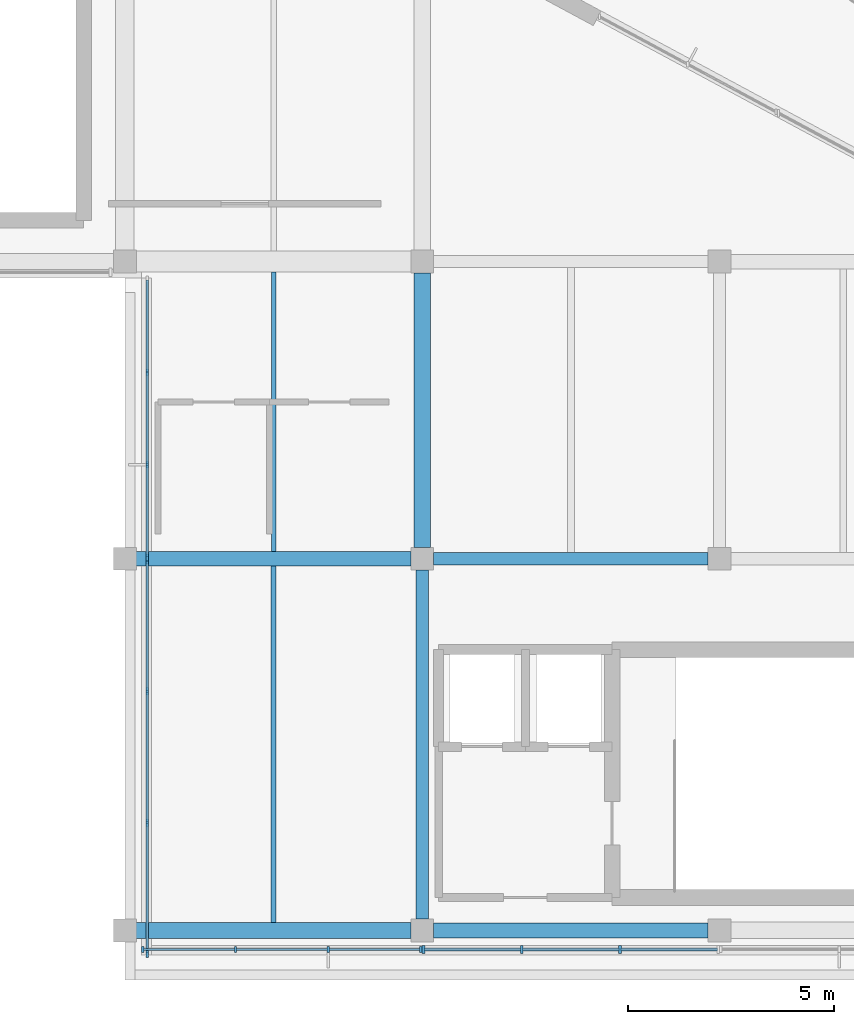
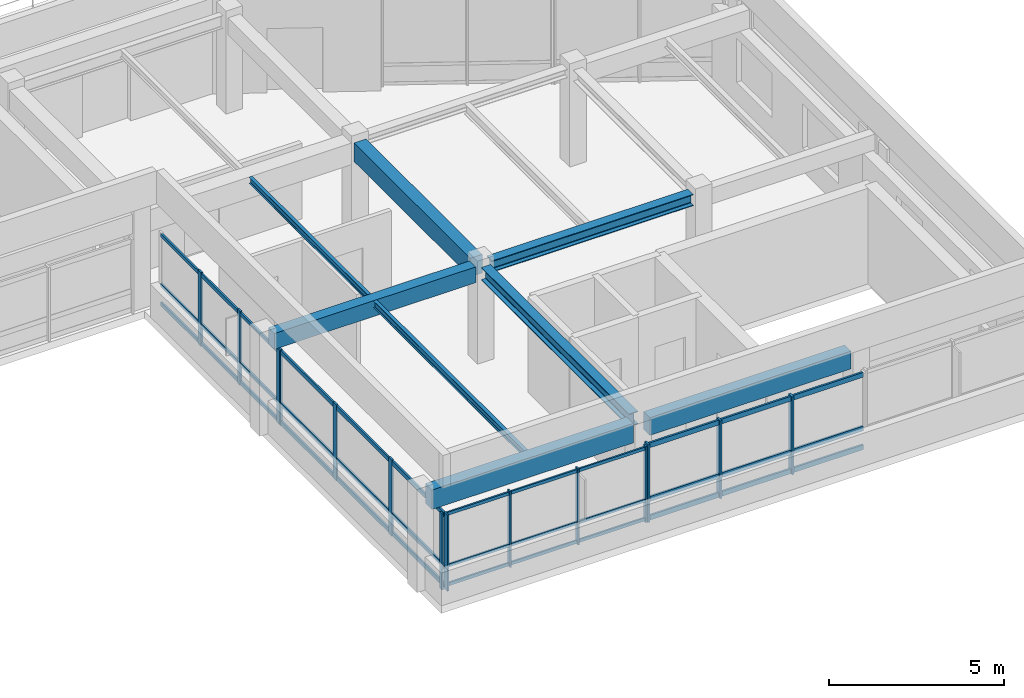
# One storey, part 3 of 10: 50 members, 8 beams, 4 elements without a shape of their own.
"""IFC4 building model written with IfcOpenShell, lengths in metres."""

from ifc_helpers import new_model, si_unit, direction, frame, origin, origin_2d, place, context, subcontext, project, spatial, rectangle, i_section, extrude, material, material_profile, profile_set, type_object, element, aggregate, save


model = new_model("IFC4")

# Units and contexts
model_context = context("Model", 3, precision=1e-05, world=origin(), true_north=direction((0.0, 1.0)))
body_context = subcontext(model_context, "Body", "Model", "MODEL_VIEW")
ifc_project = project(units=[si_unit("LENGTHUNIT", "METRE"), si_unit("AREAUNIT", "SQUARE_METRE"), si_unit("VOLUMEUNIT", "CUBIC_METRE"), si_unit("PLANEANGLEUNIT", "RADIAN"), si_unit("MASSUNIT", "GRAM", prefix="KILO")], contexts=[model_context])

# Site, building, storey
site_placement = place(None, origin())
site = spatial("IfcSite", under=ifc_project, at=site_placement, CompositionType="ELEMENT")
building_placement = place(site_placement, origin())
building = spatial("IfcBuilding", under=site, at=building_placement, Name="Clarverna Civic Hall", CompositionType="ELEMENT")
storey_placement = place(building_placement, frame((0.0, 0.0, 27.60009765625)))
storey = spatial("IfcBuildingStorey", under=building, at=storey_placement, Name="L07", CompositionType="ELEMENT", Elevation=27.60009765625)

# Beams
ifc_material_1 = material(Name="Concrete C35/45", Category="concrete")
ifc_material_profile_1 = material_profile(ifc_material_1, rectangle(XDim=0.39990234375, YDim=0.64990234375, at=origin_2d()), Name="RC 400x650")
ifc_profile_set_1 = profile_set([ifc_material_profile_1], Name="Concrete C35/45")
beam_type_1 = type_object("IfcBeamType", Name="B-RC6", PredefinedType="BEAM", material=ifc_profile_set_1)
beam_1_placement = place(storey_placement, frame((154.800048828125, 88.074951171875, 3.014892578125), z_axis=(0.0, 1.0, 0.0), x_axis=(-1.0, 0.0, 0.0)))
element("IfcBeam", 1, at=beam_1_placement, inside=storey, type_object=beam_type_1, Name="B-RC6-053", PredefinedType="BEAM", context=body_context, shape_type="SweptSolid", body=[
    extrude(rectangle(XDim=0.39990234375, YDim=0.64990234375, at=origin_2d()), origin(), (0.0, 0.0, 1.0), 6.650146484375),
])
ifc_material_profile_2 = material_profile(ifc_material_1, rectangle(XDim=0.35009765625, YDim=0.550048828125, at=origin_2d()), Name="RC 350x550")
ifc_profile_set_2 = profile_set([ifc_material_profile_2], Name="Concrete C35/45")
beam_type_2 = type_object("IfcBeamType", Name="B-RC9", PredefinedType="BEAM", material=ifc_profile_set_2)
beam_2_placement = place(storey_placement, frame((147.875, 87.800048828125, 3.06494140625), z_axis=(1.0, 0.0, 0.0), x_axis=(0.0, 1.0, 0.0)))
element("IfcBeam", 2, at=beam_2_placement, inside=storey, type_object=beam_type_2, Name="B-RC9-048", PredefinedType="BEAM", context=body_context, shape_type="SweptSolid", body=[
    extrude(rectangle(XDim=0.35009765625, YDim=0.550048828125, at=origin_2d()), origin(), (0.0, 0.0, 1.0), 6.64990234375),
])
ifc_material_profile_3 = material_profile(ifc_material_1, rectangle(XDim=0.3798828125, YDim=0.679931640625, at=origin_2d()), Name="RC 380x680")
ifc_profile_set_3 = profile_set([ifc_material_profile_3], Name="Concrete C35/45")
beam_type_3 = type_object("IfcBeamType", Name="B-SP2", PredefinedType="SPANDREL", material=ifc_profile_set_3)
beam_3_placement = place(storey_placement, frame((147.875, 78.800048828125, 3.0), z_axis=(1.0, 0.0, 0.0), x_axis=(0.0, 1.0, 0.0)))
element("IfcBeam", 3, at=beam_3_placement, inside=storey, type_object=beam_type_3, Name="B-SP2-161", PredefinedType="SPANDREL", context=body_context, shape_type="SweptSolid", body=[
    extrude(rectangle(XDim=0.3798828125, YDim=0.679931640625, at=origin_2d()), origin(), (0.0, 0.0, 1.0), 6.64990234375),
])
ifc_material_profile_4 = material_profile(ifc_material_1, rectangle(XDim=0.360107421875, YDim=0.6201171875, at=origin_2d()), Name="RC 360x620")
ifc_profile_set_4 = profile_set([ifc_material_profile_4], Name="Concrete C35/45")
beam_type_4 = type_object("IfcBeamType", Name="B-SP3", PredefinedType="SPANDREL", material=ifc_profile_set_4)
beam_4_placement = place(storey_placement, frame((155.074951171875, 78.800048828125, 3.02978515625), z_axis=(1.0, 0.0, 0.0), x_axis=(0.0, 1.0, 0.0)))
element("IfcBeam", 4, at=beam_4_placement, inside=storey, type_object=beam_type_4, Name="B-SP3-157", PredefinedType="SPANDREL", context=body_context, shape_type="SweptSolid", body=[
    extrude(rectangle(XDim=0.360107421875, YDim=0.6201171875, at=origin_2d()), origin(), (0.0, 0.0, 1.0), 6.650146484375),
])
ifc_material_2 = material(Name="Steel S355", Category="steel")
ifc_material_profile_5 = material_profile(ifc_material_2, i_section(OverallWidth=0.300048828125, OverallDepth=0.449951171875, WebThickness=0.013916015625, FlangeThickness=0.02587890625, FilletRadius=0.027099609375, at=origin_2d()), Name="HEB 450")
ifc_profile_set_5 = profile_set([ifc_material_profile_5], Name="Steel S355")
beam_type_5 = type_object("IfcBeamType", Name="B-ST3", PredefinedType="BEAM", material=ifc_profile_set_5)
beam_5_placement = place(storey_placement, frame((154.800048828125, 79.074951171875, 3.114990234375), z_axis=(0.0, 1.0, 0.0), x_axis=(-1.0, 0.0, 0.0)))
element("IfcBeam", 5, at=beam_5_placement, inside=storey, type_object=beam_type_5, Name="B-ST3-023", PredefinedType="BEAM", context=body_context, shape_type="SweptSolid", body=[
    extrude(i_section(OverallWidth=0.300048828125, OverallDepth=0.449951171875, WebThickness=0.013916015625, FlangeThickness=0.02587890625, FilletRadius=0.027099609375, at=origin_2d()), origin(), (0.0, 0.0, 1.0), 8.449951171875),
])
ifc_material_profile_6 = material_profile(ifc_material_2, i_section(OverallWidth=0.300048828125, OverallDepth=0.39990234375, WebThickness=0.013427734375, FlangeThickness=0.02392578125, FilletRadius=0.027099609375, at=origin_2d()), Name="HEB 400")
ifc_profile_set_6 = profile_set([ifc_material_profile_6], Name="Steel S355")
beam_type_6 = type_object("IfcBeamType", Name="B-ST4", PredefinedType="BEAM", material=ifc_profile_set_6)
beam_6_placement = place(storey_placement, frame((155.074951171875, 87.800048828125, 3.139892578125), z_axis=(1.0, 0.0, 0.0), x_axis=(0.0, 1.0, 0.0)))
element("IfcBeam", 6, at=beam_6_placement, inside=storey, type_object=beam_type_6, Name="B-ST4-022", PredefinedType="BEAM", context=body_context, shape_type="SweptSolid", body=[
    extrude(i_section(OverallWidth=0.300048828125, OverallDepth=0.39990234375, WebThickness=0.013427734375, FlangeThickness=0.02392578125, FilletRadius=0.027099609375, at=origin_2d()), origin(), (0.0, 0.0, 1.0), 6.650146484375),
])

# Curtain wall, members
ifc_material_3 = material(Name="Anodised Bronze Architectural Aluminium", Category="aluminium")
curtain_wall_type = type_object("IfcCurtainWallType", Name="CW-01", PredefinedType="USERDEFINED", material=ifc_material_3)
curtain_wall_1_placement = place(storey_placement, origin())
curtain_wall_1 = element("IfcCurtainWall", 7, at=curtain_wall_1_placement, inside=storey, type_object=curtain_wall_type, Name="CW-01-131", ObjectType="UNITISED CURTAIN WALL", PredefinedType="USERDEFINED")
ifc_material_profile_7 = material_profile(ifc_material_3, rectangle(XDim=0.06005859375, YDim=0.179931640625, at=origin_2d()), Name="BRONZE 60x180")
ifc_profile_set_7 = profile_set([ifc_material_profile_7], Name="Anodised Bronze Architectural Aluminium")
member_type_1 = type_object("IfcMemberType", Name="CWM-01", PredefinedType="MULLION", material=ifc_profile_set_7)
member_1_placement = place(storey_placement, frame((148.139892578125, 78.23291015625, 0.0), z_axis=(0.0, 0.0, 1.0), x_axis=(1.0, 0.0, 0.0)))
member_1 = element("IfcMember", 8, at=member_1_placement, type_object=member_type_1, Name="CWM-01-227", PredefinedType="MULLION", context=body_context, shape_type="SweptSolid", body=[
    extrude(rectangle(XDim=0.06005859375, YDim=0.179931640625, at=origin_2d()), origin(), (0.0, 0.0, 1.0), 2.659912109375),
])
member_2_placement = place(storey_placement, frame((148.139892578125, 81.410888671875, 0.0), z_axis=(0.0, 0.0, 1.0), x_axis=(1.0, 0.0, 0.0)))
member_2 = element("IfcMember", 9, at=member_2_placement, type_object=member_type_1, Name="CWM-01-228", PredefinedType="MULLION", context=body_context, shape_type="SweptSolid", body=[
    extrude(rectangle(XDim=0.06005859375, YDim=0.179931640625, at=origin_2d()), origin(), (0.0, 0.0, 1.0), 2.659912109375),
])
member_3_placement = place(storey_placement, frame((148.139892578125, 84.589111328125, 0.0), z_axis=(0.0, 0.0, 1.0), x_axis=(1.0, 0.0, 0.0)))
member_3 = element("IfcMember", 10, at=member_3_placement, type_object=member_type_1, Name="CWM-01-229", PredefinedType="MULLION", context=body_context, shape_type="SweptSolid", body=[
    extrude(rectangle(XDim=0.06005859375, YDim=0.179931640625, at=origin_2d()), origin(), (0.0, 0.0, 1.0), 2.659912109375),
])
member_4_placement = place(storey_placement, frame((148.139892578125, 87.76708984375, 0.0), z_axis=(0.0, 0.0, 1.0), x_axis=(1.0, 0.0, 0.0)))
member_4 = element("IfcMember", 11, at=member_4_placement, type_object=member_type_1, Name="CWM-01-230", PredefinedType="MULLION", context=body_context, shape_type="SweptSolid", body=[
    extrude(rectangle(XDim=0.06005859375, YDim=0.179931640625, at=origin_2d()), origin(), (0.0, 0.0, 1.0), 2.659912109375),
])

curtain_wall_2_placement = place(storey_placement, origin())
curtain_wall_2 = element("IfcCurtainWall", 12, at=curtain_wall_2_placement, inside=storey, type_object=curtain_wall_type, Name="CW-01-132", ObjectType="UNITISED CURTAIN WALL", PredefinedType="USERDEFINED")
ifc_material_profile_8 = material_profile(ifc_material_3, rectangle(XDim=0.06005859375, YDim=0.159912109375, at=origin_2d()), Name="BRONZE 60x160")
ifc_profile_set_8 = profile_set([ifc_material_profile_8], Name="Anodised Bronze Architectural Aluminium")
member_type_2 = type_object("IfcMemberType", Name="CWM-02", PredefinedType="MULLION", material=ifc_profile_set_8)
member_5_placement = place(storey_placement, frame((148.139892578125, 87.8330078125, 0.0), z_axis=(0.0, 0.0, 1.0), x_axis=(1.0, 0.0, 0.0)))
member_5 = element("IfcMember", 13, at=member_5_placement, type_object=member_type_2, Name="CWM-02-244", PredefinedType="MULLION", context=body_context, shape_type="SweptSolid", body=[
    extrude(rectangle(XDim=0.06005859375, YDim=0.159912109375, at=origin_2d()), origin(), (0.0, 0.0, 1.0), 2.58984375),
])
member_6_placement = place(storey_placement, frame((148.139892578125, 90.07763671875, 0.0), z_axis=(0.0, 0.0, 1.0), x_axis=(1.0, 0.0, 0.0)))
member_6 = element("IfcMember", 14, at=member_6_placement, type_object=member_type_2, Name="CWM-02-245", PredefinedType="MULLION", context=body_context, shape_type="SweptSolid", body=[
    extrude(rectangle(XDim=0.06005859375, YDim=0.159912109375, at=origin_2d()), origin(), (0.0, 0.0, 1.0), 2.58984375),
])
member_7_placement = place(storey_placement, frame((148.139892578125, 92.322265625, 0.0), z_axis=(0.0, 0.0, 1.0), x_axis=(1.0, 0.0, 0.0)))
member_7 = element("IfcMember", 15, at=member_7_placement, type_object=member_type_2, Name="CWM-02-246", PredefinedType="MULLION", context=body_context, shape_type="SweptSolid", body=[
    extrude(rectangle(XDim=0.06005859375, YDim=0.159912109375, at=origin_2d()), origin(), (0.0, 0.0, 1.0), 2.58984375),
])

curtain_wall_3_placement = place(storey_placement, origin())
curtain_wall_3 = element("IfcCurtainWall", 16, at=curtain_wall_3_placement, inside=storey, type_object=curtain_wall_type, Name="CW-01-129", ObjectType="UNITISED CURTAIN WALL", PredefinedType="USERDEFINED")
ifc_material_profile_9 = material_profile(ifc_material_3, rectangle(XDim=0.06494140625, YDim=0.199951171875, at=origin_2d()), Name="BRONZE 65x200")
ifc_profile_set_9 = profile_set([ifc_material_profile_9], Name="Anodised Bronze Architectural Aluminium")
member_type_3 = type_object("IfcMemberType", Name="CWM-03", PredefinedType="MULLION", material=ifc_profile_set_9)
member_8_placement = place(storey_placement, frame((159.589111328125, 78.340087890625, 0.0), z_axis=(0.0, 0.0, 1.0), x_axis=(1.0, 0.0, 0.0)))
member_8 = element("IfcMember", 17, at=member_8_placement, type_object=member_type_3, Name="CWM-03-230", PredefinedType="MULLION", context=body_context, shape_type="SweptSolid", body=[
    extrude(rectangle(XDim=0.06494140625, YDim=0.199951171875, at=origin_2d()), origin(), (0.0, 0.0, 1.0), 2.719970703125),
])
member_9_placement = place(storey_placement, frame((157.2109375, 78.340087890625, 0.0), z_axis=(0.0, 0.0, 1.0), x_axis=(1.0, 0.0, 0.0)))
member_9 = element("IfcMember", 18, at=member_9_placement, type_object=member_type_3, Name="CWM-03-231", PredefinedType="MULLION", context=body_context, shape_type="SweptSolid", body=[
    extrude(rectangle(XDim=0.06494140625, YDim=0.199951171875, at=origin_2d()), origin(), (0.0, 0.0, 1.0), 2.719970703125),
])
member_10_placement = place(storey_placement, frame((154.8330078125, 78.340087890625, 0.0), z_axis=(0.0, 0.0, 1.0), x_axis=(1.0, 0.0, 0.0)))
member_10 = element("IfcMember", 19, at=member_10_placement, type_object=member_type_3, Name="CWM-03-232", PredefinedType="MULLION", context=body_context, shape_type="SweptSolid", body=[
    extrude(rectangle(XDim=0.06494140625, YDim=0.199951171875, at=origin_2d()), origin(), (0.0, 0.0, 1.0), 2.719970703125),
])

curtain_wall_4_placement = place(storey_placement, origin())
curtain_wall_4 = element("IfcCurtainWall", 20, at=curtain_wall_4_placement, inside=storey, type_object=curtain_wall_type, Name="CW-01-130", ObjectType="UNITISED CURTAIN WALL", PredefinedType="USERDEFINED")
ifc_material_profile_10 = material_profile(ifc_material_3, rectangle(XDim=0.054931640625, YDim=0.139892578125, at=origin_2d()), Name="BRONZE 55x140")
ifc_profile_set_10 = profile_set([ifc_material_profile_10], Name="Anodised Bronze Architectural Aluminium")
member_type_4 = type_object("IfcMemberType", Name="CWM-04", PredefinedType="MULLION", material=ifc_profile_set_10)
member_11_placement = place(storey_placement, frame((154.76708984375, 78.340087890625, 0.0), z_axis=(0.0, 0.0, 1.0), x_axis=(1.0, 0.0, 0.0)))
member_11 = element("IfcMember", 21, at=member_11_placement, type_object=member_type_4, Name="CWM-04-240", PredefinedType="MULLION", context=body_context, shape_type="SweptSolid", body=[
    extrude(rectangle(XDim=0.054931640625, YDim=0.139892578125, at=origin_2d()), origin(), (0.0, 0.0, 1.0), 2.659912109375),
])
member_12_placement = place(storey_placement, frame((152.522216796875, 78.340087890625, 0.0), z_axis=(0.0, 0.0, 1.0), x_axis=(1.0, 0.0, 0.0)))
member_12 = element("IfcMember", 22, at=member_12_placement, type_object=member_type_4, Name="CWM-04-241", PredefinedType="MULLION", context=body_context, shape_type="SweptSolid", body=[
    extrude(rectangle(XDim=0.054931640625, YDim=0.139892578125, at=origin_2d()), origin(), (0.0, 0.0, 1.0), 2.659912109375),
])
member_13_placement = place(storey_placement, frame((150.277587890625, 78.340087890625, 0.0), z_axis=(0.0, 0.0, 1.0), x_axis=(1.0, 0.0, 0.0)))
member_13 = element("IfcMember", 23, at=member_13_placement, type_object=member_type_4, Name="CWM-04-242", PredefinedType="MULLION", context=body_context, shape_type="SweptSolid", body=[
    extrude(rectangle(XDim=0.054931640625, YDim=0.139892578125, at=origin_2d()), origin(), (0.0, 0.0, 1.0), 2.659912109375),
])
member_14_placement = place(storey_placement, frame((148.032958984375, 78.340087890625, 0.0), z_axis=(0.0, 0.0, 1.0), x_axis=(1.0, 0.0, 0.0)))
member_14 = element("IfcMember", 24, at=member_14_placement, type_object=member_type_4, Name="CWM-04-243", PredefinedType="MULLION", context=body_context, shape_type="SweptSolid", body=[
    extrude(rectangle(XDim=0.054931640625, YDim=0.139892578125, at=origin_2d()), origin(), (0.0, 0.0, 1.0), 2.659912109375),
])

# Member
ifc_material_profile_11 = material_profile(ifc_material_3, rectangle(XDim=0.06005859375, YDim=0.14990234375, at=origin_2d()), Name="BRONZE 60x150")
ifc_profile_set_11 = profile_set([ifc_material_profile_11], Name="Anodised Bronze Architectural Aluminium")
member_type_5 = type_object("IfcMemberType", Name="CWT-01", PredefinedType="USERDEFINED", material=ifc_profile_set_11)
member_15_placement = place(storey_placement, frame((148.139892578125, 78.248046875, 0.094970703125), z_axis=(0.0, 1.0, 0.0), x_axis=(-1.0, 0.0, 0.0)))
member_15 = element("IfcMember", 25, at=member_15_placement, type_object=member_type_5, Name="CWT-01-484", ObjectType="TRANSOM", PredefinedType="USERDEFINED", context=body_context, shape_type="SweptSolid", body=[
    extrude(rectangle(XDim=0.06005859375, YDim=0.14990234375, at=origin_2d()), origin(), (0.0, 0.0, 1.0), 3.14794921875),
])

member_16_placement = place(storey_placement, frame((148.139892578125, 78.248046875, 0.75), z_axis=(0.0, 1.0, 0.0), x_axis=(-1.0, 0.0, 0.0)))
member_16 = element("IfcMember", 26, at=member_16_placement, type_object=member_type_5, Name="CWT-01-485", ObjectType="TRANSOM", PredefinedType="USERDEFINED", context=body_context, shape_type="SweptSolid", body=[
    extrude(rectangle(XDim=0.06005859375, YDim=0.14990234375, at=origin_2d()), origin(), (0.0, 0.0, 1.0), 3.14794921875),
])

member_17_placement = place(storey_placement, frame((148.139892578125, 78.248046875, 2.56494140625), z_axis=(0.0, 1.0, 0.0), x_axis=(-1.0, 0.0, 0.0)))
member_17 = element("IfcMember", 27, at=member_17_placement, type_object=member_type_5, Name="CWT-01-486", ObjectType="TRANSOM", PredefinedType="USERDEFINED", context=body_context, shape_type="SweptSolid", body=[
    extrude(rectangle(XDim=0.06005859375, YDim=0.14990234375, at=origin_2d()), origin(), (0.0, 0.0, 1.0), 3.14794921875),
])

member_18_placement = place(storey_placement, frame((148.139892578125, 81.426025390625, 0.094970703125), z_axis=(0.0, 1.0, 0.0), x_axis=(-1.0, 0.0, 0.0)))
member_18 = element("IfcMember", 28, at=member_18_placement, type_object=member_type_5, Name="CWT-01-487", ObjectType="TRANSOM", PredefinedType="USERDEFINED", context=body_context, shape_type="SweptSolid", body=[
    extrude(rectangle(XDim=0.06005859375, YDim=0.14990234375, at=origin_2d()), origin(), (0.0, 0.0, 1.0), 3.14794921875),
])

member_19_placement = place(storey_placement, frame((148.139892578125, 81.426025390625, 0.75), z_axis=(0.0, 1.0, 0.0), x_axis=(-1.0, 0.0, 0.0)))
member_19 = element("IfcMember", 29, at=member_19_placement, type_object=member_type_5, Name="CWT-01-488", ObjectType="TRANSOM", PredefinedType="USERDEFINED", context=body_context, shape_type="SweptSolid", body=[
    extrude(rectangle(XDim=0.06005859375, YDim=0.14990234375, at=origin_2d()), origin(), (0.0, 0.0, 1.0), 3.14794921875),
])

member_20_placement = place(storey_placement, frame((148.139892578125, 81.426025390625, 2.56494140625), z_axis=(0.0, 1.0, 0.0), x_axis=(-1.0, 0.0, 0.0)))
member_20 = element("IfcMember", 30, at=member_20_placement, type_object=member_type_5, Name="CWT-01-489", ObjectType="TRANSOM", PredefinedType="USERDEFINED", context=body_context, shape_type="SweptSolid", body=[
    extrude(rectangle(XDim=0.06005859375, YDim=0.14990234375, at=origin_2d()), origin(), (0.0, 0.0, 1.0), 3.14794921875),
])

member_21_placement = place(storey_placement, frame((148.139892578125, 84.60400390625, 0.094970703125), z_axis=(0.0, 1.0, 0.0), x_axis=(-1.0, 0.0, 0.0)))
member_21 = element("IfcMember", 31, at=member_21_placement, type_object=member_type_5, Name="CWT-01-490", ObjectType="TRANSOM", PredefinedType="USERDEFINED", context=body_context, shape_type="SweptSolid", body=[
    extrude(rectangle(XDim=0.06005859375, YDim=0.14990234375, at=origin_2d()), origin(), (0.0, 0.0, 1.0), 3.14794921875),
])

member_22_placement = place(storey_placement, frame((148.139892578125, 84.60400390625, 0.75), z_axis=(0.0, 1.0, 0.0), x_axis=(-1.0, 0.0, 0.0)))
member_22 = element("IfcMember", 32, at=member_22_placement, type_object=member_type_5, Name="CWT-01-491", ObjectType="TRANSOM", PredefinedType="USERDEFINED", context=body_context, shape_type="SweptSolid", body=[
    extrude(rectangle(XDim=0.06005859375, YDim=0.14990234375, at=origin_2d()), origin(), (0.0, 0.0, 1.0), 3.14794921875),
])

member_23_placement = place(storey_placement, frame((148.139892578125, 84.60400390625, 2.56494140625), z_axis=(0.0, 1.0, 0.0), x_axis=(-1.0, 0.0, 0.0)))
member_23 = element("IfcMember", 33, at=member_23_placement, type_object=member_type_5, Name="CWT-01-492", ObjectType="TRANSOM", PredefinedType="USERDEFINED", context=body_context, shape_type="SweptSolid", body=[
    extrude(rectangle(XDim=0.06005859375, YDim=0.14990234375, at=origin_2d()), origin(), (0.0, 0.0, 1.0), 3.14794921875),
])

aggregate(curtain_wall_1, [member_1, member_2, member_3, member_4, member_15, member_16, member_17, member_18, member_19, member_20, member_21, member_22, member_23])

ifc_material_profile_12 = material_profile(ifc_material_3, rectangle(XDim=0.06005859375, YDim=0.1298828125, at=origin_2d()), Name="BRONZE 60x130")
ifc_profile_set_12 = profile_set([ifc_material_profile_12], Name="Anodised Bronze Architectural Aluminium")
member_type_6 = type_object("IfcMemberType", Name="CWT-02", PredefinedType="USERDEFINED", material=ifc_profile_set_12)
member_24_placement = place(storey_placement, frame((148.139892578125, 87.847900390625, 0.094970703125), z_axis=(0.0, 1.0, 0.0), x_axis=(-1.0, 0.0, 0.0)))
member_24 = element("IfcMember", 34, at=member_24_placement, type_object=member_type_6, Name="CWT-02-520", ObjectType="TRANSOM", PredefinedType="USERDEFINED", context=body_context, shape_type="SweptSolid", body=[
    extrude(rectangle(XDim=0.06005859375, YDim=0.1298828125, at=origin_2d()), origin(), (0.0, 0.0, 1.0), 2.21484375),
])

member_25_placement = place(storey_placement, frame((148.139892578125, 87.847900390625, 0.75), z_axis=(0.0, 1.0, 0.0), x_axis=(-1.0, 0.0, 0.0)))
member_25 = element("IfcMember", 35, at=member_25_placement, type_object=member_type_6, Name="CWT-02-521", ObjectType="TRANSOM", PredefinedType="USERDEFINED", context=body_context, shape_type="SweptSolid", body=[
    extrude(rectangle(XDim=0.06005859375, YDim=0.1298828125, at=origin_2d()), origin(), (0.0, 0.0, 1.0), 2.21484375),
])

member_26_placement = place(storey_placement, frame((148.139892578125, 87.847900390625, 2.494873046875), z_axis=(0.0, 1.0, 0.0), x_axis=(-1.0, 0.0, 0.0)))
member_26 = element("IfcMember", 36, at=member_26_placement, type_object=member_type_6, Name="CWT-02-522", ObjectType="TRANSOM", PredefinedType="USERDEFINED", context=body_context, shape_type="SweptSolid", body=[
    extrude(rectangle(XDim=0.06005859375, YDim=0.1298828125, at=origin_2d()), origin(), (0.0, 0.0, 1.0), 2.21484375),
])

member_27_placement = place(storey_placement, frame((148.139892578125, 90.0927734375, 0.094970703125), z_axis=(0.0, 1.0, 0.0), x_axis=(-1.0, 0.0, 0.0)))
member_27 = element("IfcMember", 37, at=member_27_placement, type_object=member_type_6, Name="CWT-02-523", ObjectType="TRANSOM", PredefinedType="USERDEFINED", context=body_context, shape_type="SweptSolid", body=[
    extrude(rectangle(XDim=0.06005859375, YDim=0.1298828125, at=origin_2d()), origin(), (0.0, 0.0, 1.0), 2.214599609375),
])

member_28_placement = place(storey_placement, frame((148.139892578125, 90.0927734375, 0.75), z_axis=(0.0, 1.0, 0.0), x_axis=(-1.0, 0.0, 0.0)))
member_28 = element("IfcMember", 38, at=member_28_placement, type_object=member_type_6, Name="CWT-02-524", ObjectType="TRANSOM", PredefinedType="USERDEFINED", context=body_context, shape_type="SweptSolid", body=[
    extrude(rectangle(XDim=0.06005859375, YDim=0.1298828125, at=origin_2d()), origin(), (0.0, 0.0, 1.0), 2.214599609375),
])

member_29_placement = place(storey_placement, frame((148.139892578125, 90.0927734375, 2.494873046875), z_axis=(0.0, 1.0, 0.0), x_axis=(-1.0, 0.0, 0.0)))
member_29 = element("IfcMember", 39, at=member_29_placement, type_object=member_type_6, Name="CWT-02-525", ObjectType="TRANSOM", PredefinedType="USERDEFINED", context=body_context, shape_type="SweptSolid", body=[
    extrude(rectangle(XDim=0.06005859375, YDim=0.1298828125, at=origin_2d()), origin(), (0.0, 0.0, 1.0), 2.214599609375),
])

member_30_placement = place(storey_placement, frame((148.139892578125, 92.33740234375, 0.094970703125), z_axis=(0.0, 1.0, 0.0), x_axis=(-1.0, 0.0, 0.0)))
member_30 = element("IfcMember", 40, at=member_30_placement, type_object=member_type_6, Name="CWT-02-526", ObjectType="TRANSOM", PredefinedType="USERDEFINED", context=body_context, shape_type="SweptSolid", body=[
    extrude(rectangle(XDim=0.06005859375, YDim=0.1298828125, at=origin_2d()), origin(), (0.0, 0.0, 1.0), 2.214599609375),
])

member_31_placement = place(storey_placement, frame((148.139892578125, 92.33740234375, 0.75), z_axis=(0.0, 1.0, 0.0), x_axis=(-1.0, 0.0, 0.0)))
member_31 = element("IfcMember", 41, at=member_31_placement, type_object=member_type_6, Name="CWT-02-527", ObjectType="TRANSOM", PredefinedType="USERDEFINED", context=body_context, shape_type="SweptSolid", body=[
    extrude(rectangle(XDim=0.06005859375, YDim=0.1298828125, at=origin_2d()), origin(), (0.0, 0.0, 1.0), 2.214599609375),
])

member_32_placement = place(storey_placement, frame((148.139892578125, 92.33740234375, 2.494873046875), z_axis=(0.0, 1.0, 0.0), x_axis=(-1.0, 0.0, 0.0)))
member_32 = element("IfcMember", 42, at=member_32_placement, type_object=member_type_6, Name="CWT-02-528", ObjectType="TRANSOM", PredefinedType="USERDEFINED", context=body_context, shape_type="SweptSolid", body=[
    extrude(rectangle(XDim=0.06005859375, YDim=0.1298828125, at=origin_2d()), origin(), (0.0, 0.0, 1.0), 2.214599609375),
])

aggregate(curtain_wall_2, [member_5, member_6, member_7, member_24, member_25, member_26, member_27, member_28, member_29, member_30, member_31, member_32])

ifc_material_profile_13 = material_profile(ifc_material_3, rectangle(XDim=0.06494140625, YDim=0.169921875, at=origin_2d()), Name="BRONZE 65x170")
ifc_profile_set_13 = profile_set([ifc_material_profile_13], Name="Anodised Bronze Architectural Aluminium")
member_type_7 = type_object("IfcMemberType", Name="CWT-03", PredefinedType="USERDEFINED", material=ifc_profile_set_13)
member_33_placement = place(storey_placement, frame((161.951904296875, 78.340087890625, 0.094970703125), z_axis=(-1.0, 0.0, 0.0), x_axis=(0.0, -1.0, 0.0)))
member_33 = element("IfcMember", 43, at=member_33_placement, type_object=member_type_7, Name="CWT-03-487", ObjectType="TRANSOM", PredefinedType="USERDEFINED", context=body_context, shape_type="SweptSolid", body=[
    extrude(rectangle(XDim=0.06494140625, YDim=0.169921875, at=origin_2d()), origin(), (0.0, 0.0, 1.0), 2.347900390625),
])

member_34_placement = place(storey_placement, frame((161.951904296875, 78.340087890625, 0.75), z_axis=(-1.0, 0.0, 0.0), x_axis=(0.0, -1.0, 0.0)))
member_34 = element("IfcMember", 44, at=member_34_placement, type_object=member_type_7, Name="CWT-03-488", ObjectType="TRANSOM", PredefinedType="USERDEFINED", context=body_context, shape_type="SweptSolid", body=[
    extrude(rectangle(XDim=0.06494140625, YDim=0.169921875, at=origin_2d()), origin(), (0.0, 0.0, 1.0), 2.347900390625),
])

member_35_placement = place(storey_placement, frame((161.951904296875, 78.340087890625, 2.625), z_axis=(-1.0, 0.0, 0.0), x_axis=(0.0, -1.0, 0.0)))
member_35 = element("IfcMember", 45, at=member_35_placement, type_object=member_type_7, Name="CWT-03-489", ObjectType="TRANSOM", PredefinedType="USERDEFINED", context=body_context, shape_type="SweptSolid", body=[
    extrude(rectangle(XDim=0.06494140625, YDim=0.169921875, at=origin_2d()), origin(), (0.0, 0.0, 1.0), 2.347900390625),
])

member_36_placement = place(storey_placement, frame((159.573974609375, 78.340087890625, 0.094970703125), z_axis=(-1.0, 0.0, 0.0), x_axis=(0.0, -1.0, 0.0)))
member_36 = element("IfcMember", 46, at=member_36_placement, type_object=member_type_7, Name="CWT-03-490", ObjectType="TRANSOM", PredefinedType="USERDEFINED", context=body_context, shape_type="SweptSolid", body=[
    extrude(rectangle(XDim=0.06494140625, YDim=0.169921875, at=origin_2d()), origin(), (0.0, 0.0, 1.0), 2.347900390625),
])

member_37_placement = place(storey_placement, frame((159.573974609375, 78.340087890625, 0.75), z_axis=(-1.0, 0.0, 0.0), x_axis=(0.0, -1.0, 0.0)))
member_37 = element("IfcMember", 47, at=member_37_placement, type_object=member_type_7, Name="CWT-03-491", ObjectType="TRANSOM", PredefinedType="USERDEFINED", context=body_context, shape_type="SweptSolid", body=[
    extrude(rectangle(XDim=0.06494140625, YDim=0.169921875, at=origin_2d()), origin(), (0.0, 0.0, 1.0), 2.347900390625),
])

member_38_placement = place(storey_placement, frame((159.573974609375, 78.340087890625, 2.625), z_axis=(-1.0, 0.0, 0.0), x_axis=(0.0, -1.0, 0.0)))
member_38 = element("IfcMember", 48, at=member_38_placement, type_object=member_type_7, Name="CWT-03-492", ObjectType="TRANSOM", PredefinedType="USERDEFINED", context=body_context, shape_type="SweptSolid", body=[
    extrude(rectangle(XDim=0.06494140625, YDim=0.169921875, at=origin_2d()), origin(), (0.0, 0.0, 1.0), 2.347900390625),
])

member_39_placement = place(storey_placement, frame((157.196044921875, 78.340087890625, 0.094970703125), z_axis=(-1.0, 0.0, 0.0), x_axis=(0.0, -1.0, 0.0)))
member_39 = element("IfcMember", 49, at=member_39_placement, type_object=member_type_7, Name="CWT-03-493", ObjectType="TRANSOM", PredefinedType="USERDEFINED", context=body_context, shape_type="SweptSolid", body=[
    extrude(rectangle(XDim=0.06494140625, YDim=0.169921875, at=origin_2d()), origin(), (0.0, 0.0, 1.0), 2.34814453125),
])

member_40_placement = place(storey_placement, frame((157.196044921875, 78.340087890625, 0.75), z_axis=(-1.0, 0.0, 0.0), x_axis=(0.0, -1.0, 0.0)))
member_40 = element("IfcMember", 50, at=member_40_placement, type_object=member_type_7, Name="CWT-03-494", ObjectType="TRANSOM", PredefinedType="USERDEFINED", context=body_context, shape_type="SweptSolid", body=[
    extrude(rectangle(XDim=0.06494140625, YDim=0.169921875, at=origin_2d()), origin(), (0.0, 0.0, 1.0), 2.34814453125),
])

member_41_placement = place(storey_placement, frame((157.196044921875, 78.340087890625, 2.625), z_axis=(-1.0, 0.0, 0.0), x_axis=(0.0, -1.0, 0.0)))
member_41 = element("IfcMember", 51, at=member_41_placement, type_object=member_type_7, Name="CWT-03-495", ObjectType="TRANSOM", PredefinedType="USERDEFINED", context=body_context, shape_type="SweptSolid", body=[
    extrude(rectangle(XDim=0.06494140625, YDim=0.169921875, at=origin_2d()), origin(), (0.0, 0.0, 1.0), 2.34814453125),
])

aggregate(curtain_wall_3, [member_8, member_9, member_10, member_33, member_34, member_35, member_36, member_37, member_38, member_39, member_40, member_41])

ifc_material_profile_14 = material_profile(ifc_material_3, rectangle(XDim=0.054931640625, YDim=0.110107421875, at=origin_2d()), Name="BRONZE 55x110")
ifc_profile_set_14 = profile_set([ifc_material_profile_14], Name="Anodised Bronze Architectural Aluminium")
member_type_8 = type_object("IfcMemberType", Name="CWT-04", PredefinedType="USERDEFINED", material=ifc_profile_set_14)
member_42_placement = place(storey_placement, frame((154.751953125, 78.340087890625, 0.094970703125), z_axis=(-1.0, 0.0, 0.0), x_axis=(0.0, -1.0, 0.0)))
member_42 = element("IfcMember", 52, at=member_42_placement, type_object=member_type_8, Name="CWT-04-511", ObjectType="TRANSOM", PredefinedType="USERDEFINED", context=body_context, shape_type="SweptSolid", body=[
    extrude(rectangle(XDim=0.054931640625, YDim=0.110107421875, at=origin_2d()), origin(), (0.0, 0.0, 1.0), 2.214599609375),
])

member_43_placement = place(storey_placement, frame((154.751953125, 78.340087890625, 0.75), z_axis=(-1.0, 0.0, 0.0), x_axis=(0.0, -1.0, 0.0)))
member_43 = element("IfcMember", 53, at=member_43_placement, type_object=member_type_8, Name="CWT-04-512", ObjectType="TRANSOM", PredefinedType="USERDEFINED", context=body_context, shape_type="SweptSolid", body=[
    extrude(rectangle(XDim=0.054931640625, YDim=0.110107421875, at=origin_2d()), origin(), (0.0, 0.0, 1.0), 2.214599609375),
])

member_44_placement = place(storey_placement, frame((154.751953125, 78.340087890625, 2.56494140625), z_axis=(-1.0, 0.0, 0.0), x_axis=(0.0, -1.0, 0.0)))
member_44 = element("IfcMember", 54, at=member_44_placement, type_object=member_type_8, Name="CWT-04-513", ObjectType="TRANSOM", PredefinedType="USERDEFINED", context=body_context, shape_type="SweptSolid", body=[
    extrude(rectangle(XDim=0.054931640625, YDim=0.110107421875, at=origin_2d()), origin(), (0.0, 0.0, 1.0), 2.214599609375),
])

member_45_placement = place(storey_placement, frame((152.50732421875, 78.340087890625, 0.094970703125), z_axis=(-1.0, 0.0, 0.0), x_axis=(0.0, -1.0, 0.0)))
member_45 = element("IfcMember", 55, at=member_45_placement, type_object=member_type_8, Name="CWT-04-514", ObjectType="TRANSOM", PredefinedType="USERDEFINED", context=body_context, shape_type="SweptSolid", body=[
    extrude(rectangle(XDim=0.054931640625, YDim=0.110107421875, at=origin_2d()), origin(), (0.0, 0.0, 1.0), 2.214599609375),
])

member_46_placement = place(storey_placement, frame((152.50732421875, 78.340087890625, 0.75), z_axis=(-1.0, 0.0, 0.0), x_axis=(0.0, -1.0, 0.0)))
member_46 = element("IfcMember", 56, at=member_46_placement, type_object=member_type_8, Name="CWT-04-515", ObjectType="TRANSOM", PredefinedType="USERDEFINED", context=body_context, shape_type="SweptSolid", body=[
    extrude(rectangle(XDim=0.054931640625, YDim=0.110107421875, at=origin_2d()), origin(), (0.0, 0.0, 1.0), 2.214599609375),
])

member_47_placement = place(storey_placement, frame((152.50732421875, 78.340087890625, 2.56494140625), z_axis=(-1.0, 0.0, 0.0), x_axis=(0.0, -1.0, 0.0)))
member_47 = element("IfcMember", 57, at=member_47_placement, type_object=member_type_8, Name="CWT-04-516", ObjectType="TRANSOM", PredefinedType="USERDEFINED", context=body_context, shape_type="SweptSolid", body=[
    extrude(rectangle(XDim=0.054931640625, YDim=0.110107421875, at=origin_2d()), origin(), (0.0, 0.0, 1.0), 2.214599609375),
])

member_48_placement = place(storey_placement, frame((150.2626953125, 78.340087890625, 0.094970703125), z_axis=(-1.0, 0.0, 0.0), x_axis=(0.0, -1.0, 0.0)))
member_48 = element("IfcMember", 58, at=member_48_placement, type_object=member_type_8, Name="CWT-04-517", ObjectType="TRANSOM", PredefinedType="USERDEFINED", context=body_context, shape_type="SweptSolid", body=[
    extrude(rectangle(XDim=0.054931640625, YDim=0.110107421875, at=origin_2d()), origin(), (0.0, 0.0, 1.0), 2.214599609375),
])

member_49_placement = place(storey_placement, frame((150.2626953125, 78.340087890625, 0.75), z_axis=(-1.0, 0.0, 0.0), x_axis=(0.0, -1.0, 0.0)))
member_49 = element("IfcMember", 59, at=member_49_placement, type_object=member_type_8, Name="CWT-04-518", ObjectType="TRANSOM", PredefinedType="USERDEFINED", context=body_context, shape_type="SweptSolid", body=[
    extrude(rectangle(XDim=0.054931640625, YDim=0.110107421875, at=origin_2d()), origin(), (0.0, 0.0, 1.0), 2.214599609375),
])

member_50_placement = place(storey_placement, frame((150.2626953125, 78.340087890625, 2.56494140625), z_axis=(-1.0, 0.0, 0.0), x_axis=(0.0, -1.0, 0.0)))
member_50 = element("IfcMember", 60, at=member_50_placement, type_object=member_type_8, Name="CWT-04-519", ObjectType="TRANSOM", PredefinedType="USERDEFINED", context=body_context, shape_type="SweptSolid", body=[
    extrude(rectangle(XDim=0.054931640625, YDim=0.110107421875, at=origin_2d()), origin(), (0.0, 0.0, 1.0), 2.214599609375),
])

aggregate(curtain_wall_4, [member_11, member_12, member_13, member_14, member_42, member_43, member_44, member_45, member_46, member_47, member_48, member_49, member_50])

# Beams
ifc_material_profile_15 = material_profile(ifc_material_2, i_section(OverallWidth=0.1201171875, OverallDepth=0.239990234375, WebThickness=0.006103515625, FlangeThickness=0.009765625, FilletRadius=0.014892578125, at=origin_2d()), Name="IPE 240")
ifc_profile_set_15 = profile_set([ifc_material_profile_15], Name="Steel S355")
beam_type_7 = type_object("IfcBeamType", Name="J-ST5", PredefinedType="JOIST", material=ifc_profile_set_15)
beam_7_placement = place(storey_placement, frame((151.199951171875, 78.989990234375, 3.219970703125), z_axis=(0.0, 1.0, 0.0), x_axis=(-1.0, 0.0, 0.0)))
element("IfcBeam", 61, at=beam_7_placement, inside=storey, type_object=beam_type_7, Name="J-ST5-075", PredefinedType="JOIST", context=body_context, shape_type="SweptSolid", body=[
    extrude(i_section(OverallWidth=0.1201171875, OverallDepth=0.239990234375, WebThickness=0.006103515625, FlangeThickness=0.009765625, FilletRadius=0.014892578125, at=origin_2d()), origin(), (0.0, 0.0, 1.0), 8.635009765625),
])
ifc_material_profile_16 = material_profile(ifc_material_2, i_section(OverallWidth=0.110107421875, OverallDepth=0.219970703125, WebThickness=0.005859375, FlangeThickness=0.00927734375, FilletRadius=0.011962890625, at=origin_2d()), Name="IPE 220")
ifc_profile_set_16 = profile_set([ifc_material_profile_16], Name="Steel S355")
beam_type_8 = type_object("IfcBeamType", Name="J-ST6", PredefinedType="JOIST", material=ifc_profile_set_16)
beam_8_placement = place(storey_placement, frame((151.199951171875, 87.97509765625, 3.22998046875), z_axis=(0.0, 1.0, 0.0), x_axis=(-1.0, 0.0, 0.0)))
element("IfcBeam", 62, at=beam_8_placement, inside=storey, type_object=beam_type_8, Name="J-ST6-073", PredefinedType="JOIST", context=body_context, shape_type="SweptSolid", body=[
    extrude(i_section(OverallWidth=0.110107421875, OverallDepth=0.219970703125, WebThickness=0.005859375, FlangeThickness=0.00927734375, FilletRadius=0.011962890625, at=origin_2d()), origin(), (0.0, 0.0, 1.0), 6.77490234375),
])

save(model, "model.ifc")
